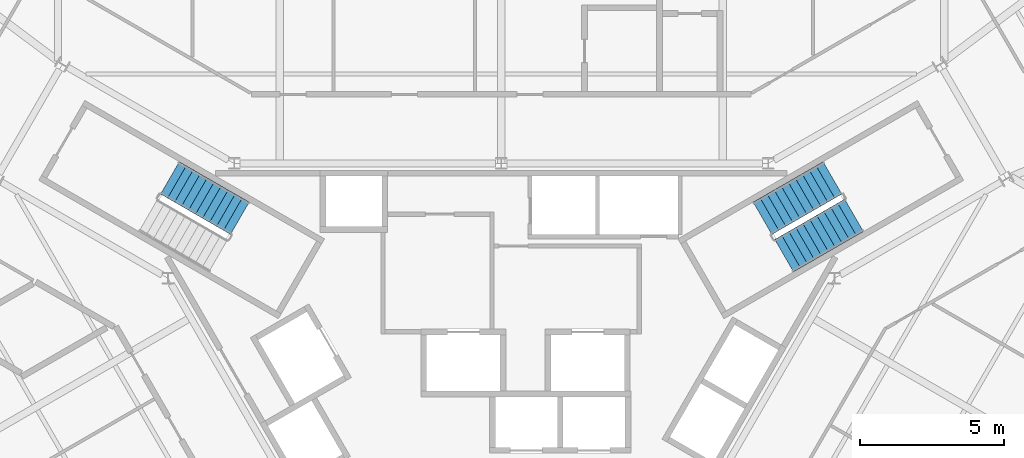
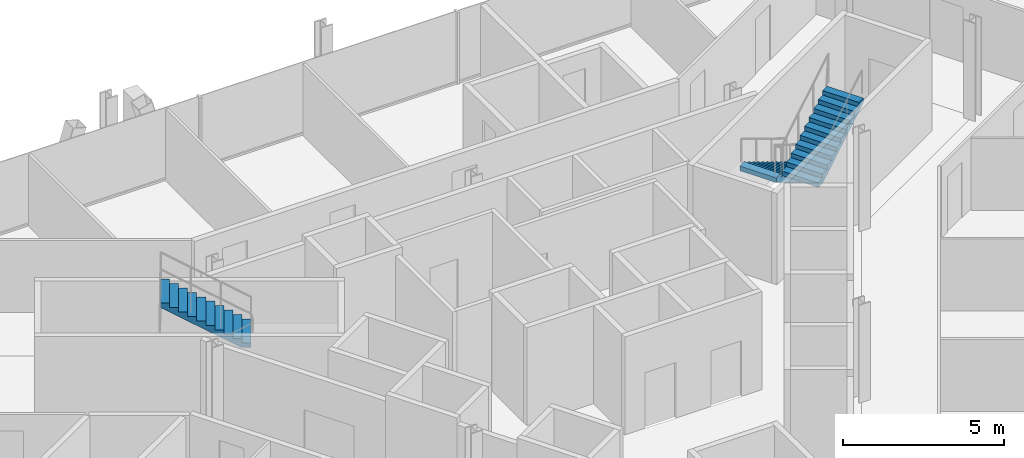
# One storey, part 11 of 13: 3 stair flights, 2 elements without a shape of their own.
"""IFC4 building model written with IfcOpenShell, lengths in metres."""

import ifcopenshell
import ifcopenshell.guid

model = None  # the IFC model being written
_history = None  # IfcOwnerHistory: only IFC2X3 demands one
_inside = {}  # id of a spatial element -> (the spatial element, [elements in it])
_under = {}  # id of a project, library or spatial element -> (it, [spatial elements below it])
_declared = {}  # id of a project -> (the project, [libraries it declares])
_typed = {}  # id of a type object -> (the type object, [elements of that type])
_made_of = {}  # id of a material, layer set ... -> (it, [elements and type objects made of it])


def new_model(schema):
    """Start an empty IFC model of exactly this schema.

    Asked for "IFC4X3", IfcOpenShell would pick the latest addendum, in which some entities
    have other attributes; the version numbers below select the first issue.
    IFC2X3 requires an IfcOwnerHistory on every rooted entity: one is made here for all.
    """
    global model, _history
    if schema == "IFC4X3":
        model = ifcopenshell.file(schema_version=(4, 3, 0, 0))
    else:
        model = ifcopenshell.file(schema=schema)
    _inside.clear()
    _under.clear()
    _declared.clear()
    _typed.clear()
    _made_of.clear()
    _history = None
    if model.schema == "IFC2X3":
        org = make("IfcOrganization", Name="unknown")
        user = make(
            "IfcPersonAndOrganization",
            ThePerson=make("IfcPerson", FamilyName="unknown"),
            TheOrganization=org,
        )
        app = make(
            "IfcApplication",
            ApplicationDeveloper=org,
            Version="unknown",
            ApplicationFullName="unknown",
            ApplicationIdentifier="unknown",
        )
        _history = make(
            "IfcOwnerHistory",
            OwningUser=user,
            OwningApplication=app,
            ChangeAction="ADDED",
            CreationDate=0,
        )
    return model


def make(cls, **values):
    """One entity of the class cls with the attributes given. An attribute that is None is left unset."""
    return model.create_entity(
        cls, **{name: value for name, value in values.items() if value is not None}
    )


def rooted(cls, **values):
    """An entity with a GlobalId (a new one), such as an element, a storey or a relation."""
    return make(cls, GlobalId=ifcopenshell.guid.new(), OwnerHistory=_history, **values)


def si_unit(unit_type, name, prefix=None):
    """IfcSIUnit, for example si_unit("LENGTHUNIT", "METRE", prefix="MILLI")."""
    return make("IfcSIUnit", UnitType=unit_type, Prefix=prefix, Name=name)


def assignment(units):
    """IfcUnitAssignment: the units of a project."""
    return None if units is None else make("IfcUnitAssignment", Units=units)


def point(xyz):
    """IfcCartesianPoint."""
    return None if xyz is None else make("IfcCartesianPoint", Coordinates=xyz)


def direction(xyz):
    """IfcDirection."""
    return None if xyz is None else make("IfcDirection", DirectionRatios=xyz)


def frame(location, z_axis=None, x_axis=None):
    """IfcAxis2Placement3D, a coordinate frame: its origin and axes. An axis left out is left unset."""
    return make(
        "IfcAxis2Placement3D",
        Location=point(location),
        Axis=direction(z_axis),
        RefDirection=direction(x_axis),
    )


def origin():
    """The frame at (0, 0, 0) with its axes left unset."""
    return frame((0.0, 0.0, 0.0))


def place(relative_to, where):
    """IfcLocalPlacement: puts the frame where relative to a parent placement (None: the world)."""
    return make(
        "IfcLocalPlacement", PlacementRelTo=relative_to, RelativePlacement=where
    )


def context(
    kind, dimensions, precision=None, world=None, true_north=None, identifier=None
):
    """IfcGeometricRepresentationContext, for example the 3D "Model" context."""
    return make(
        "IfcGeometricRepresentationContext",
        ContextIdentifier=identifier,
        ContextType=kind,
        CoordinateSpaceDimension=dimensions,
        Precision=precision,
        WorldCoordinateSystem=world,
        TrueNorth=true_north,
    )


def subcontext(parent, identifier, kind, view, scale=None):
    """IfcGeometricRepresentationSubContext, for example "Body" below "Model"."""
    return make(
        "IfcGeometricRepresentationSubContext",
        ContextIdentifier=identifier,
        ContextType=kind,
        ParentContext=parent,
        TargetScale=scale,
        TargetView=view,
    )


def project(units=None, contexts=None):
    """IfcProject with its units and contexts."""
    return rooted(
        "IfcProject",
        Name="project",
        RepresentationContexts=contexts,
        UnitsInContext=assignment(units),
    )


def spatial(cls, under=None, at=None, **own):
    """A site, building, storey or space (cls), placed at a placement, below another one or the project."""
    s = rooted(cls, ObjectPlacement=at, **own)
    if under is not None:
        _under.setdefault(under.id(), (under, []))[1].append(s)
    return s


def polyline(points):
    """IfcPolyline through the points."""
    return make("IfcPolyline", Points=[point(p) for p in points])


def outline(outer, holes=None, kind="AREA"):
    """IfcArbitraryClosedProfileDef: a profile drawn as a closed curve; with holes, ...WithVoids."""
    if holes is None:
        return make("IfcArbitraryClosedProfileDef", ProfileType=kind, OuterCurve=outer)
    return make(
        "IfcArbitraryProfileDefWithVoids",
        ProfileType=kind,
        OuterCurve=outer,
        InnerCurves=holes,
    )


def extrude(swept, where, along, depth):
    """IfcExtrudedAreaSolid: the profile swept, set in the frame where, extruded along a direction by depth."""
    return make(
        "IfcExtrudedAreaSolid",
        SweptArea=swept,
        Position=where,
        ExtrudedDirection=direction(along),
        Depth=depth,
    )


def shape(context_of_items, identifier, shape_type, items):
    """IfcShapeRepresentation: the items that make up one representation, for example the "Body"."""
    return make(
        "IfcShapeRepresentation",
        ContextOfItems=context_of_items,
        RepresentationIdentifier=identifier,
        RepresentationType=shape_type,
        Items=items,
    )


def material(Name=None, Category=None):
    """IfcMaterial."""
    return make("IfcMaterial", Name=Name, Category=Category)


def made_of(thing, what):
    """Note that an element or type object is made of a material, layer set ...; save() writes the relation."""
    if what is not None:
        _made_of.setdefault(what.id(), (what, []))[1].append(thing)
    return thing


def type_object(cls, material=None, **own):
    """A type object (cls), such as IfcWallType, which elements share."""
    return made_of(rooted(cls, **own), material)


def element(
    cls,
    number,
    at=None,
    inside=None,
    cuts=None,
    type_object=None,
    material=None,
    context=None,
    identifier="Body",
    shape_type=None,
    held_by="IfcProductDefinitionShape",
    body=None,
    shapes=None,
    **own,
):
    """One element of the class cls, such as IfcWall. Its Tag is "e" and its number.

    at: its placement. inside: the storey or other place that contains it. cuts: it is an
    opening in that element (IfcRelVoidsElement). A single representation is given by context,
    identifier, shape_type and body (its items); several are given by shapes. held_by: the class
    of the entity that holds the representations. save() writes the other relations.
    """
    e = rooted(cls, Tag="e%d" % number, ObjectPlacement=at, **own)
    if body is not None:
        shapes = [shape(context, identifier, shape_type, body)]
    if shapes is not None:
        e.Representation = make(held_by, Representations=shapes)
    if inside is not None:
        _inside.setdefault(inside.id(), (inside, []))[1].append(e)
    if cuts is not None:
        rooted(
            "IfcRelVoidsElement", RelatingBuildingElement=cuts, RelatedOpeningElement=e
        )
    if type_object is not None:
        _typed.setdefault(type_object.id(), (type_object, []))[1].append(e)
    return made_of(e, material)


def aggregate(whole, parts):
    """IfcRelAggregates: a whole, such as a stair, and the parts it consists of."""
    return rooted("IfcRelAggregates", RelatingObject=whole, RelatedObjects=parts)


def save(model, path):
    """Write the relations noted so far, then the file.

    IfcRelAggregates (storeys below a building ...), IfcRelContainedInSpatialStructure (elements
    in a storey), IfcRelDefinesByType, IfcRelAssociatesMaterial and IfcRelDeclares: one each for
    every whole, place, type object, material and project.
    """
    for whole, parts in _under.values():
        aggregate(whole, parts)
    for where, things in _inside.values():
        rooted(
            "IfcRelContainedInSpatialStructure",
            RelatedElements=things,
            RelatingStructure=where,
        )
    for kind, things in _typed.values():
        rooted("IfcRelDefinesByType", RelatedObjects=things, RelatingType=kind)
    for what, things in _made_of.values():
        rooted("IfcRelAssociatesMaterial", RelatedObjects=things, RelatingMaterial=what)
    for by, libraries in _declared.values():
        rooted("IfcRelDeclares", RelatingContext=by, RelatedDefinitions=libraries)
    model.write(path)


model = new_model("IFC4")

# Units and contexts
model_context = context("Model", 3, precision=1e-05, world=origin(), true_north=direction((0.0, 1.0)))
body_context = subcontext(model_context, "Body", "Model", "MODEL_VIEW")
ifc_project = project(units=[si_unit("LENGTHUNIT", "METRE"), si_unit("AREAUNIT", "SQUARE_METRE"), si_unit("VOLUMEUNIT", "CUBIC_METRE"), si_unit("PLANEANGLEUNIT", "RADIAN"), si_unit("MASSUNIT", "GRAM", prefix="KILO")], contexts=[model_context])

# Site, building, storey
site_placement = place(None, origin())
site = spatial("IfcSite", under=ifc_project, at=site_placement, CompositionType="ELEMENT")
building_placement = place(site_placement, origin())
building = spatial("IfcBuilding", under=site, at=building_placement, Name="Verrane Prism Tower", CompositionType="ELEMENT")
storey_placement = place(building_placement, frame((0.0, 0.0, 167.300048828125)))
storey = spatial("IfcBuildingStorey", under=building, at=storey_placement, Name="L41", CompositionType="ELEMENT", Elevation=167.300048828125)

# Stair, stair flights
ifc_material_1 = material(Name="Concrete C40/50", Category="concrete")
stair_type = type_object("IfcStairType", Name="Exit stair 1300 dog-leg precast concrete C40/50", PredefinedType="HALF_TURN_STAIR", material=ifc_material_1)
stair_1_placement = place(storey_placement, origin())
stair_1 = element("IfcStair", 1, at=stair_1_placement, inside=storey, type_object=stair_type, Name="Stair 1 L41", PredefinedType="HALF_TURN_STAIR")
ifc_material_2 = material(Name="Concrete C40/50", Category="concrete")
stair_flight_type = type_object("IfcStairFlightType", Name="Stair flight 1300 precast concrete C40/50", PredefinedType="STRAIGHT", material=ifc_material_2)
stair_flight_1_placement = place(storey_placement, frame((11.489501953125, 7.49951171875, 0.0), z_axis=(0.0, 0.0, 1.0), x_axis=(-0.866025403784, -0.5, 0.0)))
stair_flight_1 = element("IfcStairFlight", 2, at=stair_flight_1_placement, type_object=stair_flight_type, Name="Stair 1 flight 1", NumberOfRisers=11, NumberOfTreads=10, PredefinedType="STRAIGHT", RiserHeight=0.168181818, TreadLength=0.28, context=body_context, shape_type="SweptSolid", body=[
    extrude(outline(polyline([(0.0, 0.0), (0.0, 0.168212890625), (0.280029296875, 0.168212890625), (0.280029296875, 0.33642578125), (0.56005859375, 0.33642578125), (0.56005859375, 0.504638671875), (0.840087890625, 0.504638671875), (0.840087890625, 0.672607421875), (1.1201171875, 0.672607421875), (1.1201171875, 0.8408203125), (1.39990234375, 0.8408203125), (1.39990234375, 1.009033203125), (1.679931640625, 1.009033203125), (1.679931640625, 1.17724609375), (1.9599609375, 1.17724609375), (1.9599609375, 1.345458984375), (2.239990234375, 1.345458984375), (2.239990234375, 1.513671875), (2.52001953125, 1.513671875), (2.52001953125, 1.681884765625), (2.800048828125, 1.681884765625), (2.800048828125, 1.85009765625), (2.800048828125, 1.5068359375), (0.291015625, 0.0), (0.0, 0.0)])), frame((0.0, 0.64990234375, 0.0), z_axis=(0.0, -1.0, 0.0), x_axis=(1.0, 0.0, 0.0)), (0.0, 0.0, 1.0), 1.300048828125),
])
stair_flight_2_placement = place(storey_placement, frame((9.814697265625, 4.800537109375, 1.849853515625), z_axis=(0.0, 0.0, 1.0), x_axis=(0.866025403784, 0.5, 0.0)))
stair_flight_2 = element("IfcStairFlight", 3, at=stair_flight_2_placement, type_object=stair_flight_type, Name="Stair 1 flight 2", NumberOfRisers=11, NumberOfTreads=10, PredefinedType="STRAIGHT", RiserHeight=0.168181818, TreadLength=0.28, context=body_context, shape_type="SweptSolid", body=[
    extrude(outline(polyline([(0.0, 0.0), (0.0, 0.168212890625), (0.280029296875, 0.168212890625), (0.280029296875, 0.33642578125), (0.56005859375, 0.33642578125), (0.56005859375, 0.504638671875), (0.840087890625, 0.504638671875), (0.840087890625, 0.672607421875), (1.1201171875, 0.672607421875), (1.1201171875, 0.8408203125), (1.39990234375, 0.8408203125), (1.39990234375, 1.009033203125), (1.679931640625, 1.009033203125), (1.679931640625, 1.17724609375), (1.9599609375, 1.17724609375), (1.9599609375, 1.345458984375), (2.239990234375, 1.345458984375), (2.239990234375, 1.513671875), (2.52001953125, 1.513671875), (2.52001953125, 1.681884765625), (2.800048828125, 1.681884765625), (2.800048828125, 1.85009765625), (2.800048828125, 1.5068359375), (0.291015625, 0.0), (0.0, 0.0)])), frame((0.0, 0.64990234375, 0.0), z_axis=(0.0, -1.0, 0.0), x_axis=(1.0, 0.0, 0.0)), (0.0, 0.0, 1.0), 1.300048828125),
])
aggregate(stair_1, [stair_flight_1, stair_flight_2])

# Stair, stair flight
stair_2_placement = place(storey_placement, origin())
stair_2 = element("IfcStair", 4, at=stair_2_placement, inside=storey, type_object=stair_type, Name="Stair 2 L41", PredefinedType="HALF_TURN_STAIR")
stair_flight_3_placement = place(storey_placement, frame((-9.064697265625, 6.099609375, 1.849853515625), z_axis=(0.0, 0.0, 1.0), x_axis=(-0.866025403784, 0.5, 0.0)))
stair_flight_3 = element("IfcStairFlight", 5, at=stair_flight_3_placement, type_object=stair_flight_type, Name="Stair 2 flight 2", NumberOfRisers=11, NumberOfTreads=10, PredefinedType="STRAIGHT", RiserHeight=0.168181818, TreadLength=0.28, context=body_context, shape_type="SweptSolid", body=[
    extrude(outline(polyline([(0.0, 0.0), (0.0, 0.168212890625), (0.280029296875, 0.168212890625), (0.280029296875, 0.33642578125), (0.56005859375, 0.33642578125), (0.56005859375, 0.504638671875), (0.840087890625, 0.504638671875), (0.840087890625, 0.672607421875), (1.1201171875, 0.672607421875), (1.1201171875, 0.8408203125), (1.39990234375, 0.8408203125), (1.39990234375, 1.009033203125), (1.679931640625, 1.009033203125), (1.679931640625, 1.17724609375), (1.9599609375, 1.17724609375), (1.9599609375, 1.345458984375), (2.239990234375, 1.345458984375), (2.239990234375, 1.513671875), (2.52001953125, 1.513671875), (2.52001953125, 1.681884765625), (2.800048828125, 1.681884765625), (2.800048828125, 1.85009765625), (2.800048828125, 1.5068359375), (0.291015625, 0.0), (0.0, 0.0)])), frame((0.0, 0.64990234375, 0.0), z_axis=(0.0, -1.0, 0.0), x_axis=(1.0, 0.0, 0.0)), (0.0, 0.0, 1.0), 1.300048828125),
])
aggregate(stair_2, [stair_flight_3])

save(model, "model.ifc")
